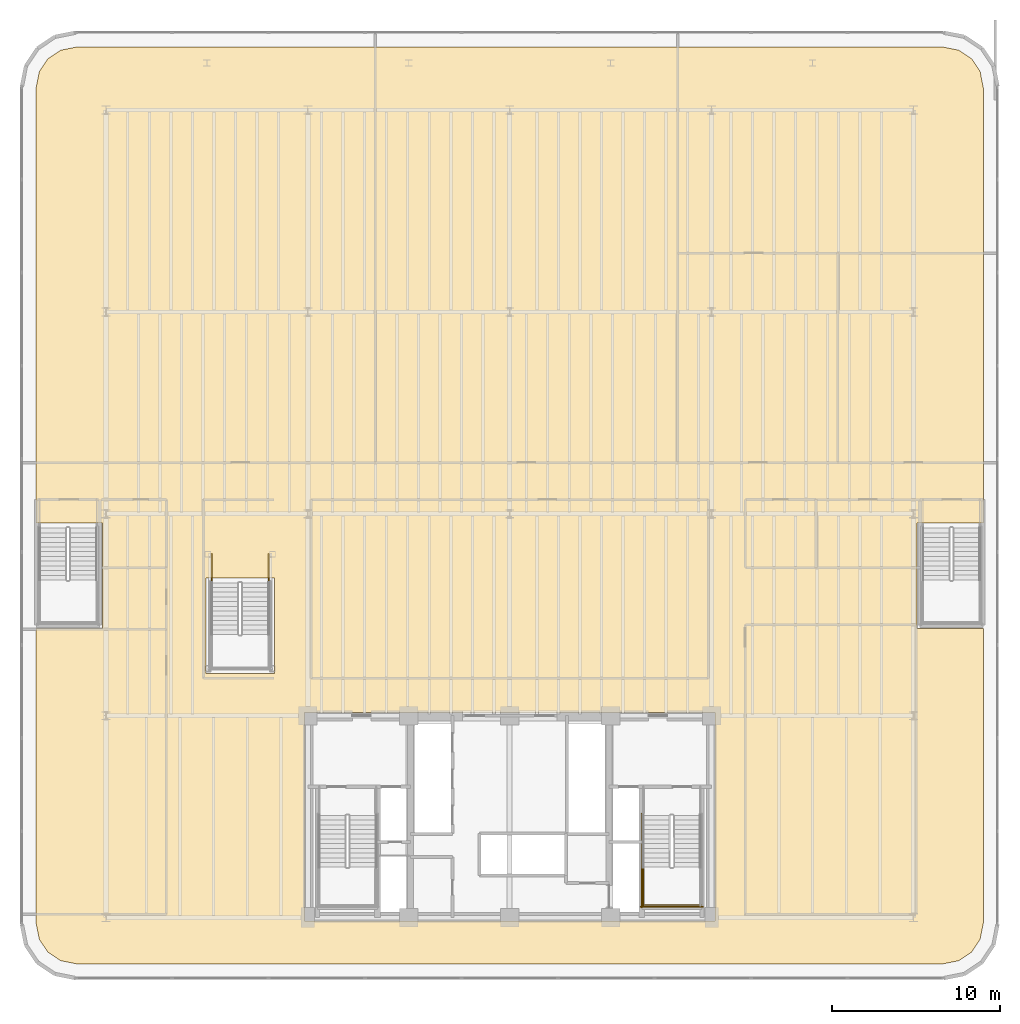
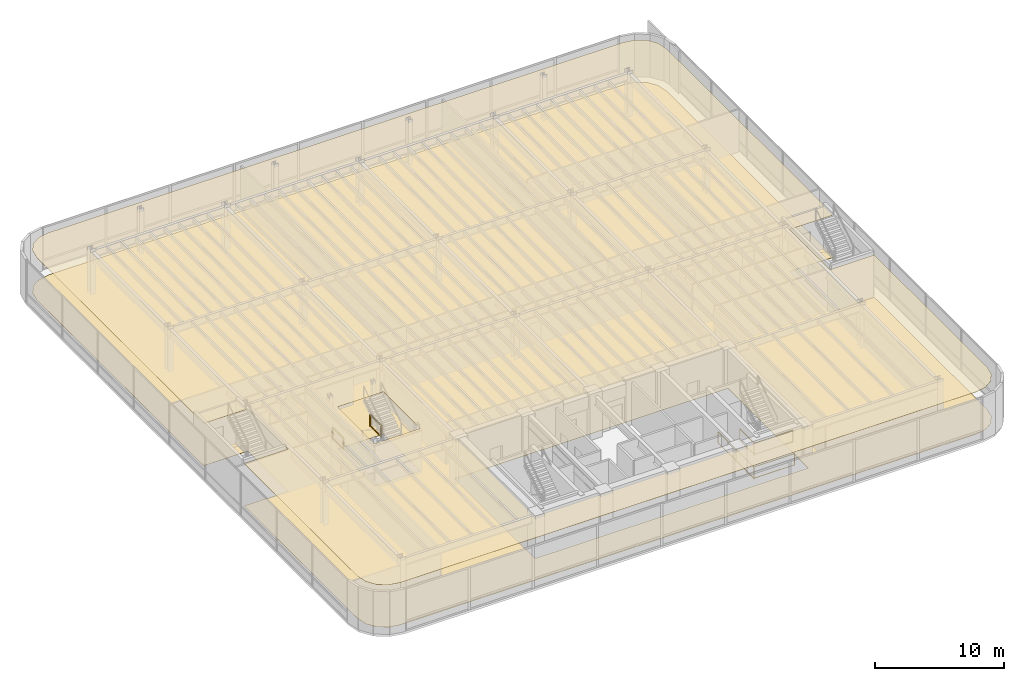
# One storey, part 18 of 19: 6 railings, 2 coverings.
"""IFC4 building model written with IfcOpenShell, lengths in metres."""

from ifc_helpers import new_model, si_unit, direction, frame, origin, origin_2d, place, context, subcontext, project, spatial, polyline, rectangle, outline, extrude, material, layer, layer_set, type_object, element, save


model = new_model("IFC4")

# Units and contexts
model_context = context("Model", 3, precision=1e-05, world=origin(), true_north=direction((0.0, 1.0)))
body_context = subcontext(model_context, "Body", "Model", "MODEL_VIEW")
ifc_project = project(units=[si_unit("LENGTHUNIT", "METRE"), si_unit("AREAUNIT", "SQUARE_METRE"), si_unit("VOLUMEUNIT", "CUBIC_METRE"), si_unit("PLANEANGLEUNIT", "RADIAN"), si_unit("MASSUNIT", "GRAM", prefix="KILO")], contexts=[model_context])

# Site, building, storey
site_placement = place(None, origin())
site = spatial("IfcSite", under=ifc_project, at=site_placement, CompositionType="ELEMENT")
building_placement = place(site_placement, origin())
building = spatial("IfcBuilding", under=site, at=building_placement, Name="Brelvock Crest Care Tower", CompositionType="ELEMENT")
storey_placement = place(building_placement, frame((0.0, 0.0, 14.0400390625)))
storey = spatial("IfcBuildingStorey", under=building, at=storey_placement, Name="L03", CompositionType="ELEMENT", Elevation=14.0400390625)

# Coverings
ifc_material_1 = material(Name="Mineral Fibre Acoustic Ceiling Tile", Category="gypsum")
ifc_layer_1 = layer(ifc_material_1, 0.02490234375, Name="COV-CLG1")
ifc_layer_set_1 = layer_set([ifc_layer_1], Name="Mineral Fibre Acoustic Ceiling Tile")
covering_type_1 = type_object("IfcCoveringType", Name="COV-CLG1", PredefinedType="CEILING", material=ifc_layer_set_1)
covering_1_placement = place(storey_placement, frame((0.0, 0.0, 3.98486328125)))
element("IfcCovering", 1, at=covering_1_placement, inside=storey, type_object=covering_type_1, Name="L03 Acoustic Suspended Ceiling 1", PredefinedType="CEILING", context=body_context, shape_type="SweptSolid", body=[
    extrude(outline(polyline([(61.71630859375, 3.25), (62.69287109375, 3.4443359375), (63.449951171875, 3.9501953125), (63.955810546875, 4.70703125), (64.14990234375, 5.68359375), (64.14990234375, 23.199951171875), (60.2099609375, 23.199951171875), (60.2099609375, 29.449951171875), (64.14990234375, 29.449951171875), (64.14990234375, 55.31640625), (63.955810546875, 56.29296875), (63.449951171875, 57.0498046875), (62.69287109375, 57.5556640625), (61.71630859375, 57.75), (10.28369140625, 57.75), (9.30712890625, 57.5556640625), (8.550048828125, 57.0498046875), (8.044189453125, 56.29296875), (7.85009765625, 55.31640625), (7.85009765625, 29.449951171875), (11.7900390625, 29.449951171875), (11.7900390625, 23.199951171875), (7.85009765625, 23.199951171875), (7.85009765625, 5.68359375), (8.044189453125, 4.70703125), (8.550048828125, 3.9501953125), (9.30712890625, 3.4443359375), (10.28369140625, 3.25), (61.71630859375, 3.25)]), holes=[polyline([(22.02001953125, 20.5), (22.02001953125, 26.199951171875), (17.93994140625, 26.199951171875), (17.93994140625, 20.5), (22.02001953125, 20.5)]), polyline([(48.199951171875, 5.800048828125), (48.199951171875, 18.199951171875), (23.800048828125, 18.199951171875), (23.800048828125, 5.800048828125), (48.199951171875, 5.800048828125)])]), origin(), (0.0, 0.0, 1.0), 0.025146484375),
])
ifc_material_2 = material(Name="Slip-Resistant Acoustic Vinyl Flooring", Category="finish")
ifc_layer_2 = layer(ifc_material_2, 0.014892578125, Name="COV-FLR1")
ifc_layer_set_2 = layer_set([ifc_layer_2], Name="Slip-Resistant Acoustic Vinyl Flooring")
covering_type_2 = type_object("IfcCoveringType", Name="COV-FLR1", PredefinedType="FLOORING", material=ifc_layer_set_2)
covering_2_placement = place(storey_placement, origin())
element("IfcCovering", 2, at=covering_2_placement, inside=storey, type_object=covering_type_2, Name="L03 Slip-Resistant Acoustic Flooring 1", PredefinedType="FLOORING", context=body_context, shape_type="SweptSolid", body=[
    extrude(outline(polyline([(61.71630859375, 3.25), (62.69287109375, 3.4443359375), (63.449951171875, 3.9501953125), (63.955810546875, 4.70703125), (64.14990234375, 5.68359375), (64.14990234375, 23.199951171875), (60.2099609375, 23.199951171875), (60.2099609375, 29.449951171875), (64.14990234375, 29.449951171875), (64.14990234375, 55.31640625), (63.955810546875, 56.29296875), (63.449951171875, 57.0498046875), (62.69287109375, 57.5556640625), (61.71630859375, 57.75), (10.28369140625, 57.75), (9.30712890625, 57.5556640625), (8.550048828125, 57.0498046875), (8.044189453125, 56.29296875), (7.85009765625, 55.31640625), (7.85009765625, 29.449951171875), (11.7900390625, 29.449951171875), (11.7900390625, 23.199951171875), (7.85009765625, 23.199951171875), (7.85009765625, 5.68359375), (8.044189453125, 4.70703125), (8.550048828125, 3.9501953125), (9.30712890625, 3.4443359375), (10.28369140625, 3.25), (61.71630859375, 3.25)]), holes=[polyline([(22.02001953125, 20.5), (22.02001953125, 26.199951171875), (17.93994140625, 26.199951171875), (17.93994140625, 20.5), (22.02001953125, 20.5)]), polyline([(48.199951171875, 5.800048828125), (48.199951171875, 18.199951171875), (23.800048828125, 18.199951171875), (23.800048828125, 5.800048828125), (48.199951171875, 5.800048828125)])]), origin(), (0.0, 0.0, 1.0), 0.014892578125),
])

# Railings
ifc_material_3 = material(Name="Steel Grade 350", Category="steel")
ifc_layer_3 = layer(ifc_material_3, 0.050048828125, Name="RL-STG1")
ifc_layer_set_3 = layer_set([ifc_layer_3], Name="Steel Grade 350")
railing_type = type_object("IfcRailingType", Name="RL-STG1", PredefinedType="GUARDRAIL", material=ifc_layer_set_3)
railing_1_placement = place(storey_placement, frame((43.93994140625, 9.0, 2.159912109375)))
element("IfcRailing", 3, at=railing_1_placement, inside=storey, type_object=railing_type, Name="L03 ST-2 stair guard 3", PredefinedType="GUARDRAIL", context=body_context, shape_type="SweptSolid", body=[
    extrude(rectangle(XDim=0.048095703125, YDim=0.048095703125, at=origin_2d()), frame((0.0, -0.001953125, 1.11572265625), z_axis=(0.0, -1.0, 0.0), x_axis=(1.0, 0.0, 0.0)), (0.0, 0.0, 1.0), 2.296142578125),
    extrude(rectangle(XDim=0.048095703125, YDim=0.048095703125, at=origin_2d()), frame((0.0, -0.001953125, 0.054931640625), z_axis=(0.0, -1.0, 0.0), x_axis=(1.0, 0.0, 0.0)), (0.0, 0.0, 1.0), 2.296142578125),
    extrude(rectangle(XDim=0.0419921875, YDim=0.0419921875, at=origin_2d()), origin(), (0.0, 0.0, 1.0), 1.08984375),
    extrude(rectangle(XDim=0.0419921875, YDim=0.0419921875, at=origin_2d()), frame((0.0, -2.300048828125, 0.0)), (0.0, 0.0, 1.0), 1.08984375),
])
railing_2_placement = place(storey_placement, frame((43.889892578125, 6.75, 2.159912109375)))
element("IfcRailing", 4, at=railing_2_placement, inside=storey, type_object=railing_type, Name="L03 ST-2 stair guard 5", PredefinedType="GUARDRAIL", context=body_context, shape_type="SweptSolid", body=[
    extrude(rectangle(XDim=0.048095703125, YDim=0.048095703125, at=origin_2d()), frame((0.001953125, 0.0, 1.11572265625), z_axis=(1.0, 0.0, 0.0), x_axis=(0.0, 1.0, 0.0)), (0.0, 0.0, 1.0), 3.476318359375),
    extrude(rectangle(XDim=0.048095703125, YDim=0.048095703125, at=origin_2d()), frame((0.001953125, 0.0, 0.054931640625), z_axis=(1.0, 0.0, 0.0), x_axis=(0.0, 1.0, 0.0)), (0.0, 0.0, 1.0), 3.476318359375),
    extrude(rectangle(XDim=0.0419921875, YDim=0.0419921875, at=origin_2d()), origin(), (0.0, 0.0, 1.0), 1.08984375),
    extrude(rectangle(XDim=0.0419921875, YDim=0.0419921875, at=origin_2d()), frame((3.480224609375, 0.0, 0.0)), (0.0, 0.0, 1.0), 1.08984375),
])
railing_3_placement = place(storey_placement, frame((43.840087890625, 12.179931640625, 0.0)))
element("IfcRailing", 5, at=railing_3_placement, inside=storey, type_object=railing_type, Name="L03 ST-2 stair guard 10", PredefinedType="GUARDRAIL", context=body_context, shape_type="SweptSolid", body=[
    extrude(rectangle(XDim=0.048095703125, YDim=0.048095703125, at=origin_2d()), frame((0.0, -0.001953125, 1.11572265625), z_axis=(0.0, -1.0, 0.0), x_axis=(1.0, 0.0, 0.0)), (0.0, 0.0, 1.0), 5.575927734375),
    extrude(rectangle(XDim=0.048095703125, YDim=0.048095703125, at=origin_2d()), frame((0.0, -0.001953125, 0.054931640625), z_axis=(0.0, -1.0, 0.0), x_axis=(1.0, 0.0, 0.0)), (0.0, 0.0, 1.0), 5.575927734375),
    extrude(rectangle(XDim=0.0419921875, YDim=0.0419921875, at=origin_2d()), origin(), (0.0, 0.0, 1.0), 1.08984375),
    extrude(rectangle(XDim=0.0419921875, YDim=0.0419921875, at=origin_2d()), frame((0.0, -2.7900390625, 0.0)), (0.0, 0.0, 1.0), 1.08984375),
    extrude(rectangle(XDim=0.0419921875, YDim=0.0419921875, at=origin_2d()), frame((0.0, -5.579833984375, 0.0)), (0.0, 0.0, 1.0), 1.08984375),
])
railing_4_placement = place(storey_placement, frame((43.7900390625, 6.64990234375, 0.0)))
element("IfcRailing", 6, at=railing_4_placement, inside=storey, type_object=railing_type, Name="L03 ST-2 stair guard 12", PredefinedType="GUARDRAIL", context=body_context, shape_type="SweptSolid", body=[
    extrude(rectangle(XDim=0.048095703125, YDim=0.048095703125, at=origin_2d()), frame((0.001953125, 0.0, 1.11572265625), z_axis=(1.0, 0.0, 0.0), x_axis=(0.0, 1.0, 0.0)), (0.0, 0.0, 1.0), 3.676025390625),
    extrude(rectangle(XDim=0.048095703125, YDim=0.048095703125, at=origin_2d()), frame((0.001953125, 0.0, 0.054931640625), z_axis=(1.0, 0.0, 0.0), x_axis=(0.0, 1.0, 0.0)), (0.0, 0.0, 1.0), 3.676025390625),
    extrude(rectangle(XDim=0.0419921875, YDim=0.0419921875, at=origin_2d()), origin(), (0.0, 0.0, 1.0), 1.08984375),
    extrude(rectangle(XDim=0.0419921875, YDim=0.0419921875, at=origin_2d()), frame((3.679931640625, 0.0, 0.0)), (0.0, 0.0, 1.0), 1.08984375),
])
for number, where, name in (
    (7, (18.2900390625, 27.60009765625, 0.0), "L03 ST-5 stair guard 8"),
    (8, (21.669921875, 27.60009765625, 0.0), "L03 ST-5 stair guard 9"),
):
    element("IfcRailing", number, at=place(storey_placement, frame(where)), inside=storey, type_object=railing_type, Name=name, PredefinedType="GUARDRAIL", context=body_context, shape_type="SweptSolid", body=[
        extrude(rectangle(XDim=0.048095703125, YDim=0.048095703125, at=origin_2d()), frame((0.0, -0.001953125, 1.11572265625), z_axis=(0.0, -1.0, 0.0), x_axis=(1.0, 0.0, 0.0)), (0.0, 0.0, 1.0), 1.6962890625),
        extrude(rectangle(XDim=0.048095703125, YDim=0.048095703125, at=origin_2d()), frame((0.0, -0.001953125, 0.054931640625), z_axis=(0.0, -1.0, 0.0), x_axis=(1.0, 0.0, 0.0)), (0.0, 0.0, 1.0), 1.6962890625),
        extrude(rectangle(XDim=0.0419921875, YDim=0.0419921875, at=origin_2d()), origin(), (0.0, 0.0, 1.0), 1.08984375),
        extrude(rectangle(XDim=0.0419921875, YDim=0.0419921875, at=origin_2d()), frame((0.0, -1.7001953125, 0.0)), (0.0, 0.0, 1.0), 1.08984375),
    ])

save(model, "model.ifc")
